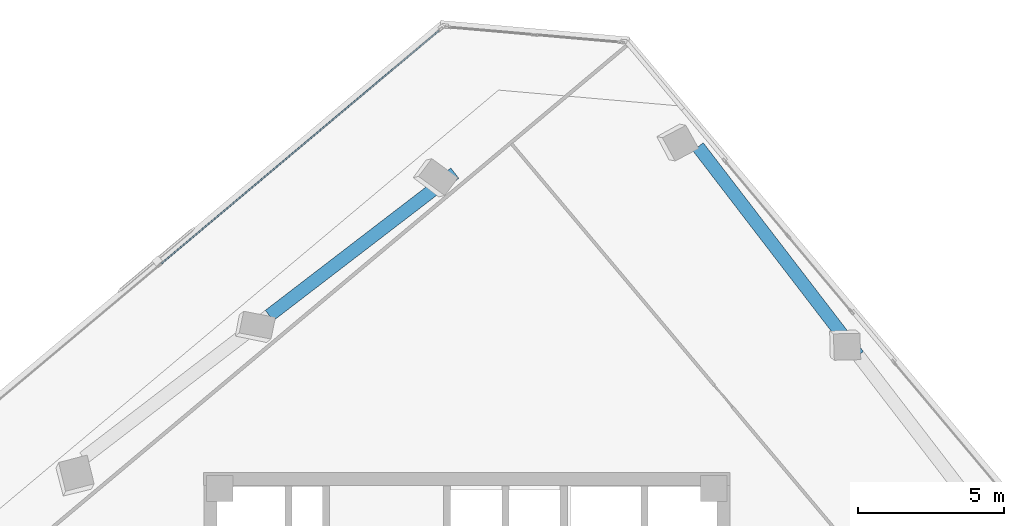
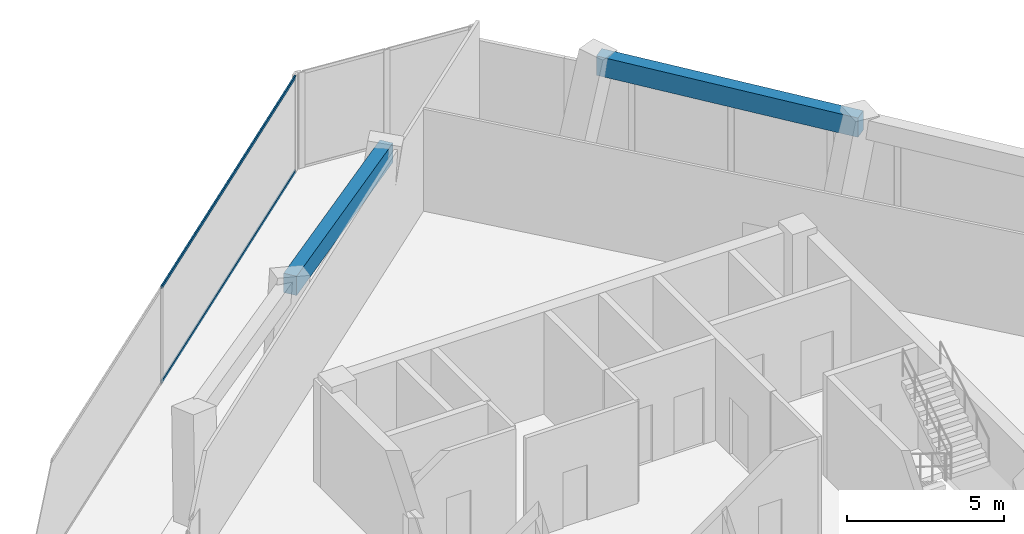
# One storey, part 9 of 17: 2 beams, 2 members, 1 element without a shape of its own.
"""IFC4 building model written with IfcOpenShell, lengths in metres."""

import ifcopenshell
import ifcopenshell.guid

model = None  # the IFC model being written
_history = None  # IfcOwnerHistory: only IFC2X3 demands one
_inside = {}  # id of a spatial element -> (the spatial element, [elements in it])
_under = {}  # id of a project, library or spatial element -> (it, [spatial elements below it])
_declared = {}  # id of a project -> (the project, [libraries it declares])
_typed = {}  # id of a type object -> (the type object, [elements of that type])
_made_of = {}  # id of a material, layer set ... -> (it, [elements and type objects made of it])


def new_model(schema):
    """Start an empty IFC model of exactly this schema.

    Asked for "IFC4X3", IfcOpenShell would pick the latest addendum, in which some entities
    have other attributes; the version numbers below select the first issue.
    IFC2X3 requires an IfcOwnerHistory on every rooted entity: one is made here for all.
    """
    global model, _history
    if schema == "IFC4X3":
        model = ifcopenshell.file(schema_version=(4, 3, 0, 0))
    else:
        model = ifcopenshell.file(schema=schema)
    _inside.clear()
    _under.clear()
    _declared.clear()
    _typed.clear()
    _made_of.clear()
    _history = None
    if model.schema == "IFC2X3":
        org = make("IfcOrganization", Name="unknown")
        user = make(
            "IfcPersonAndOrganization",
            ThePerson=make("IfcPerson", FamilyName="unknown"),
            TheOrganization=org,
        )
        app = make(
            "IfcApplication",
            ApplicationDeveloper=org,
            Version="unknown",
            ApplicationFullName="unknown",
            ApplicationIdentifier="unknown",
        )
        _history = make(
            "IfcOwnerHistory",
            OwningUser=user,
            OwningApplication=app,
            ChangeAction="ADDED",
            CreationDate=0,
        )
    return model


def make(cls, **values):
    """One entity of the class cls with the attributes given. An attribute that is None is left unset."""
    return model.create_entity(
        cls, **{name: value for name, value in values.items() if value is not None}
    )


def rooted(cls, **values):
    """An entity with a GlobalId (a new one), such as an element, a storey or a relation."""
    return make(cls, GlobalId=ifcopenshell.guid.new(), OwnerHistory=_history, **values)


def si_unit(unit_type, name, prefix=None):
    """IfcSIUnit, for example si_unit("LENGTHUNIT", "METRE", prefix="MILLI")."""
    return make("IfcSIUnit", UnitType=unit_type, Prefix=prefix, Name=name)


def assignment(units):
    """IfcUnitAssignment: the units of a project."""
    return None if units is None else make("IfcUnitAssignment", Units=units)


def point(xyz):
    """IfcCartesianPoint."""
    return None if xyz is None else make("IfcCartesianPoint", Coordinates=xyz)


def direction(xyz):
    """IfcDirection."""
    return None if xyz is None else make("IfcDirection", DirectionRatios=xyz)


def frame(location, z_axis=None, x_axis=None):
    """IfcAxis2Placement3D, a coordinate frame: its origin and axes. An axis left out is left unset."""
    return make(
        "IfcAxis2Placement3D",
        Location=point(location),
        Axis=direction(z_axis),
        RefDirection=direction(x_axis),
    )


def frame_2d(location, x_axis=None):
    """IfcAxis2Placement2D, a coordinate frame in the plane: its origin and x axis."""
    return make(
        "IfcAxis2Placement2D", Location=point(location), RefDirection=direction(x_axis)
    )


def origin():
    """The frame at (0, 0, 0) with its axes left unset."""
    return frame((0.0, 0.0, 0.0))


def origin_2d():
    """The frame at (0, 0) in the plane with its x axis left unset."""
    return frame_2d((0.0, 0.0))


def place(relative_to, where):
    """IfcLocalPlacement: puts the frame where relative to a parent placement (None: the world)."""
    return make(
        "IfcLocalPlacement", PlacementRelTo=relative_to, RelativePlacement=where
    )


def context(
    kind, dimensions, precision=None, world=None, true_north=None, identifier=None
):
    """IfcGeometricRepresentationContext, for example the 3D "Model" context."""
    return make(
        "IfcGeometricRepresentationContext",
        ContextIdentifier=identifier,
        ContextType=kind,
        CoordinateSpaceDimension=dimensions,
        Precision=precision,
        WorldCoordinateSystem=world,
        TrueNorth=true_north,
    )


def subcontext(parent, identifier, kind, view, scale=None):
    """IfcGeometricRepresentationSubContext, for example "Body" below "Model"."""
    return make(
        "IfcGeometricRepresentationSubContext",
        ContextIdentifier=identifier,
        ContextType=kind,
        ParentContext=parent,
        TargetScale=scale,
        TargetView=view,
    )


def project(units=None, contexts=None):
    """IfcProject with its units and contexts."""
    return rooted(
        "IfcProject",
        Name="project",
        RepresentationContexts=contexts,
        UnitsInContext=assignment(units),
    )


def spatial(cls, under=None, at=None, **own):
    """A site, building, storey or space (cls), placed at a placement, below another one or the project."""
    s = rooted(cls, ObjectPlacement=at, **own)
    if under is not None:
        _under.setdefault(under.id(), (under, []))[1].append(s)
    return s


def profile(cls, at=None, kind="AREA", **sizes):
    """A parametric profile (cls). Its sizes go by their IFC names, for example OverallWidth=200.0."""
    return make(cls, ProfileType=kind, Position=at, **sizes)


def rectangle(**sizes):
    """IfcRectangleProfileDef."""
    return profile("IfcRectangleProfileDef", **sizes)


def hollow_rectangle(**sizes):
    """IfcRectangleHollowProfileDef."""
    return profile("IfcRectangleHollowProfileDef", **sizes)


def extrude(swept, where, along, depth):
    """IfcExtrudedAreaSolid: the profile swept, set in the frame where, extruded along a direction by depth."""
    return make(
        "IfcExtrudedAreaSolid",
        SweptArea=swept,
        Position=where,
        ExtrudedDirection=direction(along),
        Depth=depth,
    )


def shape(context_of_items, identifier, shape_type, items):
    """IfcShapeRepresentation: the items that make up one representation, for example the "Body"."""
    return make(
        "IfcShapeRepresentation",
        ContextOfItems=context_of_items,
        RepresentationIdentifier=identifier,
        RepresentationType=shape_type,
        Items=items,
    )


def source(mapping_origin, context_of_items, identifier, shape_type, items):
    """IfcRepresentationMap: a shape defined once, which mapped items show again and again."""
    return make(
        "IfcRepresentationMap",
        MappingOrigin=mapping_origin,
        MappedRepresentation=shape(context_of_items, identifier, shape_type, items),
    )


def transform(
    local_origin,
    x_axis=None,
    y_axis=None,
    z_axis=None,
    scale=None,
    scale2=None,
    scale3=None,
    uniform=True,
):
    """IfcCartesianTransformationOperator3D, or its non-uniform kind. x_axis, y_axis, z_axis: its Axis1, 2, 3."""
    if uniform:
        return make(
            "IfcCartesianTransformationOperator3D",
            Axis1=direction(x_axis),
            Axis2=direction(y_axis),
            LocalOrigin=point(local_origin),
            Scale=scale,
            Axis3=direction(z_axis),
        )
    return make(
        "IfcCartesianTransformationOperator3DnonUniform",
        Axis1=direction(x_axis),
        Axis2=direction(y_axis),
        LocalOrigin=point(local_origin),
        Scale=scale,
        Axis3=direction(z_axis),
        Scale2=scale2,
        Scale3=scale3,
    )


def mapped(mapping_source, mapping_target):
    """IfcMappedItem: shows the shape of a source again, moved by a transform."""
    return make(
        "IfcMappedItem", MappingSource=mapping_source, MappingTarget=mapping_target
    )


def material(Name=None, Category=None):
    """IfcMaterial."""
    return make("IfcMaterial", Name=Name, Category=Category)


def material_profile(
    of_material, cross_section, Name=None, Category=None, Priority=None
):
    """IfcMaterialProfile: a cross section and its material."""
    return make(
        "IfcMaterialProfile",
        Name=Name,
        Material=of_material,
        Profile=cross_section,
        Priority=Priority,
        Category=Category,
    )


def profile_set(profiles, Name=None, composite=None):
    """IfcMaterialProfileSet."""
    return make(
        "IfcMaterialProfileSet",
        Name=Name,
        MaterialProfiles=profiles,
        CompositeProfile=composite,
    )


def made_of(thing, what):
    """Note that an element or type object is made of a material, layer set ...; save() writes the relation."""
    if what is not None:
        _made_of.setdefault(what.id(), (what, []))[1].append(thing)
    return thing


def type_object(cls, material=None, **own):
    """A type object (cls), such as IfcWallType, which elements share."""
    return made_of(rooted(cls, **own), material)


def element(
    cls,
    number,
    at=None,
    inside=None,
    cuts=None,
    type_object=None,
    material=None,
    context=None,
    identifier="Body",
    shape_type=None,
    held_by="IfcProductDefinitionShape",
    body=None,
    shapes=None,
    **own,
):
    """One element of the class cls, such as IfcWall. Its Tag is "e" and its number.

    at: its placement. inside: the storey or other place that contains it. cuts: it is an
    opening in that element (IfcRelVoidsElement). A single representation is given by context,
    identifier, shape_type and body (its items); several are given by shapes. held_by: the class
    of the entity that holds the representations. save() writes the other relations.
    """
    e = rooted(cls, Tag="e%d" % number, ObjectPlacement=at, **own)
    if body is not None:
        shapes = [shape(context, identifier, shape_type, body)]
    if shapes is not None:
        e.Representation = make(held_by, Representations=shapes)
    if inside is not None:
        _inside.setdefault(inside.id(), (inside, []))[1].append(e)
    if cuts is not None:
        rooted(
            "IfcRelVoidsElement", RelatingBuildingElement=cuts, RelatedOpeningElement=e
        )
    if type_object is not None:
        _typed.setdefault(type_object.id(), (type_object, []))[1].append(e)
    return made_of(e, material)


def aggregate(whole, parts):
    """IfcRelAggregates: a whole, such as a stair, and the parts it consists of."""
    return rooted("IfcRelAggregates", RelatingObject=whole, RelatedObjects=parts)


def save(model, path):
    """Write the relations noted so far, then the file.

    IfcRelAggregates (storeys below a building ...), IfcRelContainedInSpatialStructure (elements
    in a storey), IfcRelDefinesByType, IfcRelAssociatesMaterial and IfcRelDeclares: one each for
    every whole, place, type object, material and project.
    """
    for whole, parts in _under.values():
        aggregate(whole, parts)
    for where, things in _inside.values():
        rooted(
            "IfcRelContainedInSpatialStructure",
            RelatedElements=things,
            RelatingStructure=where,
        )
    for kind, things in _typed.values():
        rooted("IfcRelDefinesByType", RelatedObjects=things, RelatingType=kind)
    for what, things in _made_of.values():
        rooted("IfcRelAssociatesMaterial", RelatedObjects=things, RelatingMaterial=what)
    for by, libraries in _declared.values():
        rooted("IfcRelDeclares", RelatingContext=by, RelatedDefinitions=libraries)
    model.write(path)


model = new_model("IFC4")

# Units and contexts
model_context = context("Model", 3, precision=1e-05, world=origin(), true_north=direction((0.0, 1.0)))
body_context = subcontext(model_context, "Body", "Model", "MODEL_VIEW")
ifc_project = project(units=[si_unit("LENGTHUNIT", "METRE"), si_unit("AREAUNIT", "SQUARE_METRE"), si_unit("VOLUMEUNIT", "CUBIC_METRE"), si_unit("PLANEANGLEUNIT", "RADIAN"), si_unit("MASSUNIT", "GRAM", prefix="KILO")], contexts=[model_context])

# Site, building, storey
site_placement = place(None, origin())
site = spatial("IfcSite", under=ifc_project, at=site_placement, CompositionType="ELEMENT")
building_placement = place(site_placement, origin())
building = spatial("IfcBuilding", under=site, at=building_placement, Name="Torre Montelarca", CompositionType="ELEMENT")
storey_placement = place(building_placement, frame((0.0, 0.0, 275.199951171875)))
storey = spatial("IfcBuildingStorey", under=building, at=storey_placement, Name="L62", CompositionType="ELEMENT", Elevation=275.199951171875)

# Beams
ifc_material_1 = material(Name="Concrete C55/67", Category="concrete")
ifc_material_profile_1 = material_profile(ifc_material_1, rectangle(XDim=0.449951171875, YDim=0.75, at=origin_2d()), Name="RCB450X750", Category="concrete")
ifc_profile_set_1 = profile_set([ifc_material_profile_1], Name="Concrete C55/67")
beam_type = type_object("IfcBeamType", Name="BM-SP-RC750-EXT", PredefinedType="SPANDREL", material=ifc_profile_set_1)
shared_shape_1 = source(origin(), body_context, "Body", "SweptSolid", [
    extrude(rectangle(XDim=0.449951171875, YDim=0.75, at=origin_2d()), origin(), (0.0, 0.0, 1.0), 9.0),
])
beam_1_placement = place(storey_placement, frame((25.909912109375, 51.1396484375, 3.5849609375), z_axis=(0.608757244327, -0.793356551293, 0.0), x_axis=(0.793356551293, 0.608757244327, 0.0)))
element("IfcBeam", 1, at=beam_1_placement, inside=storey, type_object=beam_type, Name="L62 Grid Girder X 9.0-18.0 at Y=47.1", PredefinedType="SPANDREL", context=body_context, shape_type="MappedRepresentation", body=[
    mapped(shared_shape_1, transform((0.0, 0.0, 0.0), scale=1.0)),
])
shared_shape_2 = source(origin(), body_context, "Body", "SweptSolid", [
    extrude(rectangle(XDim=0.449951171875, YDim=0.75, at=origin_2d()), origin(), (0.0, 0.0, 1.0), 8.0),
])
beam_2_placement = place(storey_placement, frame((11.242431640625, 45.367919921875, 3.5849609375), z_axis=(0.793344974033, 0.608772331974, 0.0), x_axis=(-0.608772331974, 0.793344974033, 0.0)))
element("IfcBeam", 2, at=beam_2_placement, inside=storey, type_object=beam_type, Name="L62 Grid Girder Y 32.0-40.0 at X=4.7", PredefinedType="SPANDREL", context=body_context, shape_type="MappedRepresentation", body=[
    mapped(shared_shape_2, transform((0.0, 0.0, 0.0), scale=1.0)),
])

# Curtain wall, members
ifc_material_2 = material(Name="Insulated low-E laminated glass", Category="glass")
curtain_wall_type = type_object("IfcCurtainWallType", Name="CW-SYS-Z3", PredefinedType="USERDEFINED", material=ifc_material_2)
curtain_wall_placement = place(storey_placement, origin())
curtain_wall = element("IfcCurtainWall", 3, at=curtain_wall_placement, inside=storey, type_object=curtain_wall_type, Name="L62 Curtain Wall Run CW-T3-L62-E10-B1", ObjectType="UNITISED GLAZING", PredefinedType="USERDEFINED")
ifc_material_3 = material(Name="Anodised aluminium AA 6063-T6", Category="aluminium")
ifc_material_profile_2 = material_profile(ifc_material_3, hollow_rectangle(XDim=0.054931640625, YDim=0.1201171875, WallThickness=0.00341796875, InnerFilletRadius=0.00341796875, OuterFilletRadius=0.007080078125, at=origin_2d()), Name="ALU55X120X3.5", Category="aluminium")
ifc_profile_set_2 = profile_set([ifc_material_profile_2], Name="Anodised aluminium AA 6063-T6")
member_type = type_object("IfcMemberType", Name="CWT-ALU120", PredefinedType="USERDEFINED", material=ifc_profile_set_2)
shared_shape_3 = source(origin(), body_context, "Body", "SweptSolid", [
    extrude(hollow_rectangle(XDim=0.054931640625, YDim=0.1201171875, WallThickness=0.00341796875, InnerFilletRadius=0.00341796875, OuterFilletRadius=0.007080078125, at=origin_2d()), origin(), (0.0, 0.0, 1.0), 12.421630859375),
])
member_1_placement = place(storey_placement, frame((17.05615234375, 55.123291015625, 0.027587890625), z_axis=(-0.766051674656, -0.642778991378, 0.0), x_axis=(0.642778991378, -0.766051674656, 0.0)))
member_1 = element("IfcMember", 4, at=member_1_placement, type_object=member_type, Name="CW transom 1.1", ObjectType="TRANSOM", PredefinedType="USERDEFINED", context=body_context, shape_type="MappedRepresentation", body=[
    mapped(shared_shape_3, transform((0.0, 0.0, 0.0), scale=1.0)),
])
member_2_placement = place(storey_placement, frame((17.05615234375, 55.123291015625, 3.692626953125), z_axis=(-0.766051674656, -0.642778991378, 0.0), x_axis=(0.642778991378, -0.766051674656, 0.0)))
member_2 = element("IfcMember", 5, at=member_2_placement, type_object=member_type, Name="CW transom 1.2", ObjectType="TRANSOM", PredefinedType="USERDEFINED", context=body_context, shape_type="MappedRepresentation", body=[
    mapped(shared_shape_3, transform((0.0, 0.0, 0.0), scale=1.0)),
])
aggregate(curtain_wall, [member_1, member_2])

save(model, "model.ifc")
